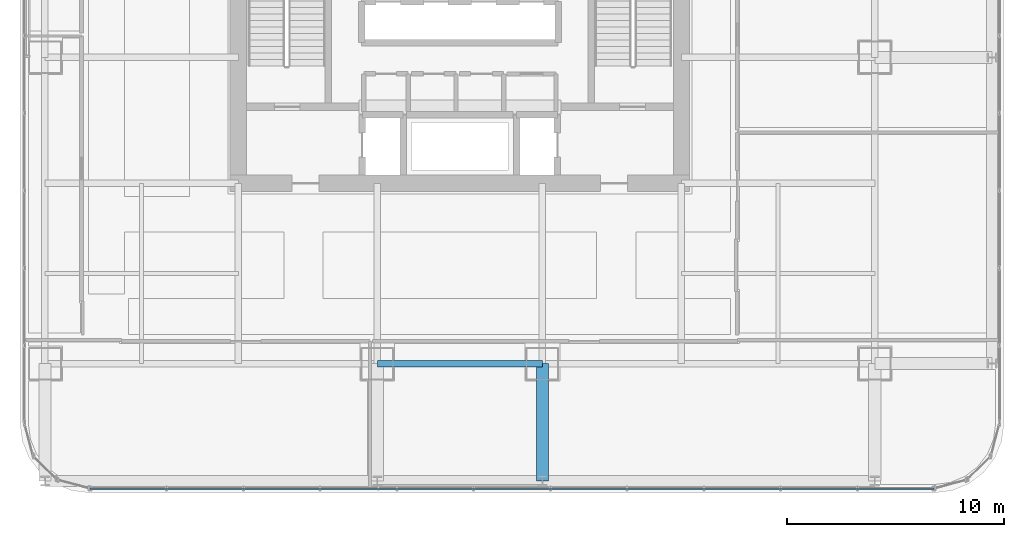
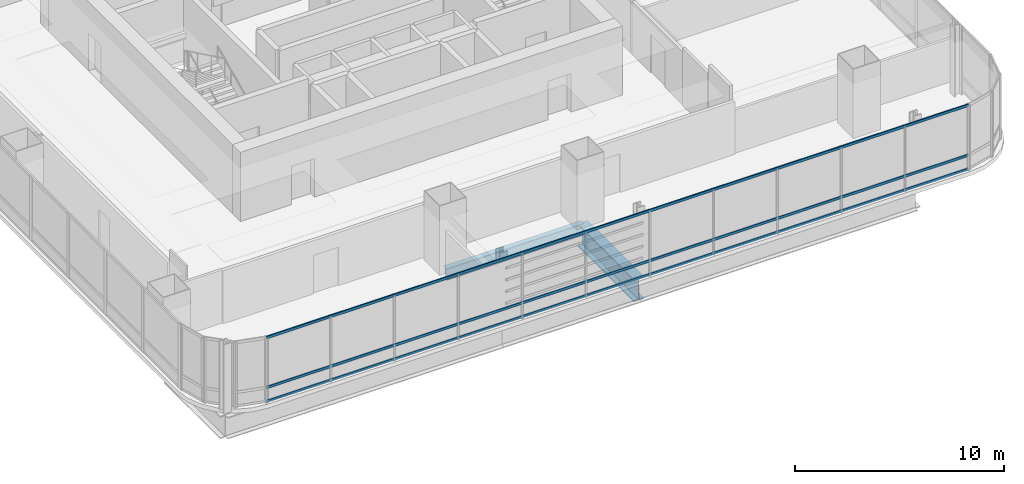
# One storey, part 5 of 35: 3 members, 2 beams, 1 element without a shape of its own.
"""IFC4 building model written with IfcOpenShell, lengths in metres."""

from ifc_helpers import new_model, si_unit, direction, frame, origin, origin_2d, place, context, subcontext, project, spatial, hollow_rectangle, i_section, extrude, material, material_profile, profile_set, type_object, element, aggregate, save


model = new_model("IFC4")

# Units and contexts
model_context = context("Model", 3, precision=1e-05, world=origin(), true_north=direction((0.0, 1.0)))
body_context = subcontext(model_context, "Body", "Model", "MODEL_VIEW")
ifc_project = project(units=[si_unit("LENGTHUNIT", "METRE"), si_unit("AREAUNIT", "SQUARE_METRE"), si_unit("VOLUMEUNIT", "CUBIC_METRE"), si_unit("PLANEANGLEUNIT", "RADIAN"), si_unit("MASSUNIT", "GRAM", prefix="KILO")], contexts=[model_context])

# Site, building, storey
site_placement = place(None, origin())
site = spatial("IfcSite", under=ifc_project, at=site_placement, CompositionType="ELEMENT")
building_placement = place(site_placement, origin())
building = spatial("IfcBuilding", under=site, at=building_placement, Name="Punatoya Terracotta Tower", CompositionType="ELEMENT")
storey_placement = place(building_placement, frame((0.0, 0.0, 64.64990234375)))
storey = spatial("IfcBuildingStorey", under=building, at=storey_placement, Name="L14", CompositionType="ELEMENT", Elevation=64.64990234375)

# Beams
ifc_material_1 = material(Name="Steel S355", Category="steel")
ifc_material_profile_1 = material_profile(ifc_material_1, i_section(OverallWidth=0.300048828125, OverallDepth=0.699951171875, WebThickness=0.01708984375, FlangeThickness=0.031982421875, FilletRadius=0.01806640625, at=origin_2d()))
ifc_profile_set_1 = profile_set([ifc_material_profile_1], Name="Steel S355")
beam_type_1 = type_object("IfcBeamType", Name="BM-PRI-700", PredefinedType="BEAM", material=ifc_profile_set_1)
beam_1_placement = place(storey_placement, frame((-3.800048828125, -17.5, -0.58984375), z_axis=(1.0, 0.0, 0.0), x_axis=(0.0, 1.0, 0.0)))
element("IfcBeam", 1, at=beam_1_placement, inside=storey, type_object=beam_type_1, Name="BM-L14-RG-S2", PredefinedType="BEAM", context=body_context, shape_type="SweptSolid", body=[
    extrude(i_section(OverallWidth=0.300048828125, OverallDepth=0.699951171875, WebThickness=0.01708984375, FlangeThickness=0.031982421875, FilletRadius=0.01806640625, at=origin_2d()), origin(), (0.0, 0.0, 1.0), 7.60009765625),
])
ifc_material_2 = material(Name="Steel S460", Category="steel")
ifc_material_profile_2 = material_profile(ifc_material_2, i_section(OverallWidth=0.56005859375, OverallDepth=1.320068359375, WebThickness=0.035888671875, FlangeThickness=0.054931640625, FilletRadius=0.01806640625, at=origin_2d()))
ifc_profile_set_2 = profile_set([ifc_material_profile_2], Name="Steel S460")
beam_type_2 = type_object("IfcBeamType", Name="BM-TG-BLK", PredefinedType="BEAM", material=ifc_profile_set_2)
beam_2_placement = place(storey_placement, frame((3.800048828125, -22.89990234375, -0.89990234375), z_axis=(0.0, 1.0, 0.0), x_axis=(-1.0, 0.0, 0.0)))
element("IfcBeam", 2, at=beam_2_placement, inside=storey, type_object=beam_type_2, Name="BM-L14-CANT-S3", PredefinedType="BEAM", context=body_context, shape_type="SweptSolid", body=[
    extrude(i_section(OverallWidth=0.56005859375, OverallDepth=1.320068359375, WebThickness=0.035888671875, FlangeThickness=0.054931640625, FilletRadius=0.01806640625, at=origin_2d()), origin(), (0.0, 0.0, 1.0), 5.39990234375),
])

# Curtain wall, members
ifc_material_3 = material(Name="Aluminium 6063-T6 + Double Low-E Glass", Category="aluminium")
curtain_wall_type = type_object("IfcCurtainWallType", Name="CW-M1", PredefinedType="NOTDEFINED", material=ifc_material_3)
curtain_wall_placement = place(storey_placement, origin())
curtain_wall = element("IfcCurtainWall", 3, at=curtain_wall_placement, inside=storey, type_object=curtain_wall_type, Name="L14 Curtain Wall CW-L14-S01-1", PredefinedType="NOTDEFINED")
ifc_material_4 = material(Name="Aluminium 6063-T6", Category="aluminium")
ifc_material_profile_3 = material_profile(ifc_material_4, hollow_rectangle(XDim=0.068115234375, YDim=0.14990234375, WallThickness=0.00390625, at=origin_2d()))
ifc_profile_set_3 = profile_set([ifc_material_profile_3], Name="Aluminium 6063-T6")
member_type = type_object("IfcMemberType", Name="CW-TRN-TYP", PredefinedType="USERDEFINED", material=ifc_profile_set_3)
member_1_placement = place(storey_placement, frame((-17.036865234375, -23.25, 0.0400390625), z_axis=(1.0, 0.0, 0.0), x_axis=(0.0, 1.0, 0.0)))
member_1 = element("IfcMember", 4, at=member_1_placement, type_object=member_type, Name="CW-L14-S01-1 Transom 1", ObjectType="TRANSOM", PredefinedType="USERDEFINED", context=body_context, shape_type="SweptSolid", body=[
    extrude(hollow_rectangle(XDim=0.068115234375, YDim=0.14990234375, WallThickness=0.00390625, at=origin_2d()), origin(), (0.0, 0.0, 1.0), 38.873779296875),
])
member_2_placement = place(storey_placement, frame((-17.036865234375, -23.25, 0.85009765625), z_axis=(1.0, 0.0, 0.0), x_axis=(0.0, 1.0, 0.0)))
member_2 = element("IfcMember", 5, at=member_2_placement, type_object=member_type, Name="CW-L14-S01-1 Transom 2", ObjectType="TRANSOM", PredefinedType="USERDEFINED", context=body_context, shape_type="SweptSolid", body=[
    extrude(hollow_rectangle(XDim=0.068115234375, YDim=0.14990234375, WallThickness=0.00390625, at=origin_2d()), origin(), (0.0, 0.0, 1.0), 38.873779296875),
])
member_3_placement = place(storey_placement, frame((-17.036865234375, -23.25, 3.77001953125), z_axis=(1.0, 0.0, 0.0), x_axis=(0.0, 1.0, 0.0)))
member_3 = element("IfcMember", 6, at=member_3_placement, type_object=member_type, Name="CW-L14-S01-1 Transom 3", ObjectType="TRANSOM", PredefinedType="USERDEFINED", context=body_context, shape_type="SweptSolid", body=[
    extrude(hollow_rectangle(XDim=0.068115234375, YDim=0.14990234375, WallThickness=0.00390625, at=origin_2d()), origin(), (0.0, 0.0, 1.0), 38.873779296875),
])
aggregate(curtain_wall, [member_1, member_2, member_3])

save(model, "model.ifc")
